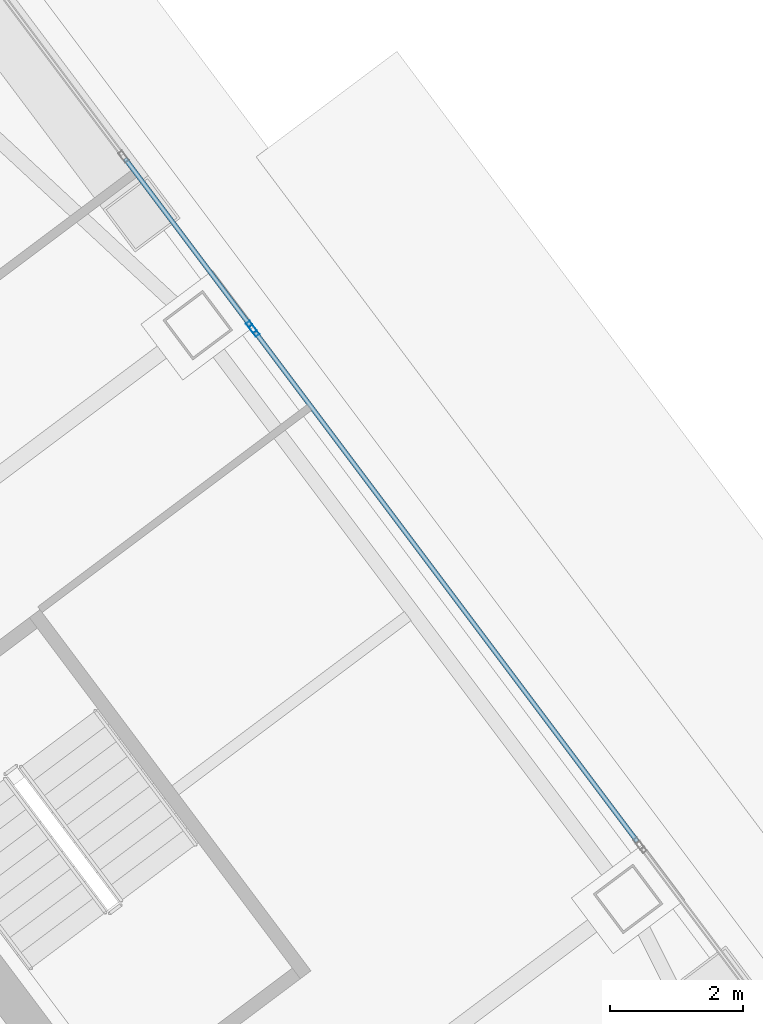
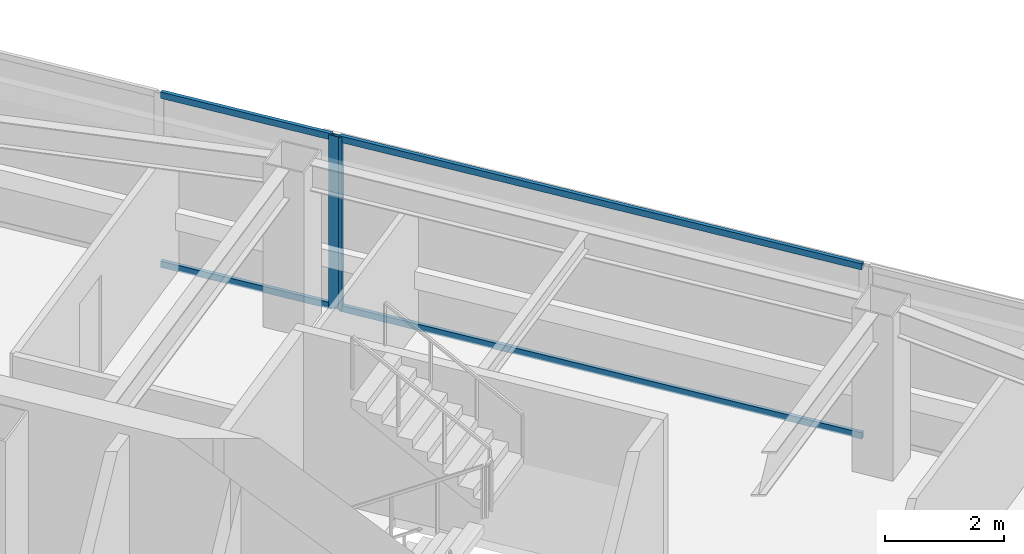
# One storey, part 49 of 65: 6 members, 2 elements without a shape of their own.
"""IFC4 building model written with IfcOpenShell, lengths in metres."""

from ifc_helpers import new_model, si_unit, direction, frame, origin, origin_2d, place, context, subcontext, project, spatial, hollow_rectangle, extrude, material, material_profile, profile_set, type_object, element, aggregate, save


model = new_model("IFC4")

# Units and contexts
model_context = context("Model", 3, precision=1e-05, world=origin(), true_north=direction((0.0, 1.0)))
body_context = subcontext(model_context, "Body", "Model", "MODEL_VIEW")
ifc_project = project(units=[si_unit("LENGTHUNIT", "METRE"), si_unit("AREAUNIT", "SQUARE_METRE"), si_unit("VOLUMEUNIT", "CUBIC_METRE"), si_unit("PLANEANGLEUNIT", "RADIAN"), si_unit("MASSUNIT", "GRAM", prefix="KILO")], contexts=[model_context])

# Site, building, storey
site_placement = place(None, origin())
site = spatial("IfcSite", under=ifc_project, at=site_placement, CompositionType="ELEMENT")
building_placement = place(site_placement, origin())
building = spatial("IfcBuilding", under=site, at=building_placement, Name="Tashvorn Skyway Center", CompositionType="ELEMENT")
storey_placement = place(building_placement, frame((0.0, 0.0, 157.0)))
storey = spatial("IfcBuildingStorey", under=building, at=storey_placement, Name="L42", CompositionType="ELEMENT", Elevation=157.0)

# Curtain wall, member
ifc_material = material(Name="Thermally broken bronze-anodized aluminium 6063-T6", Category="aluminium")
curtain_wall_type = type_object("IfcCurtainWallType", Name="CW-CW-Z4", PredefinedType="NOTDEFINED", material=ifc_material)
curtain_wall_1_placement = place(storey_placement, origin())
curtain_wall_1 = element("IfcCurtainWall", 1, at=curtain_wall_1_placement, inside=storey, type_object=curtain_wall_type, Name="Tower 2 L42 East Unitised Curtain Wall Glazing Group 1", PredefinedType="NOTDEFINED")
ifc_material_profile_1 = material_profile(ifc_material, hollow_rectangle(XDim=0.070068359375, YDim=0.179931640625, WallThickness=0.00390625, at=origin_2d()), Name="ALU-MULL-70x180")
ifc_profile_set_1 = profile_set([ifc_material_profile_1], Name="Thermally broken bronze-anodized aluminium 6063-T6")
member_type_1 = type_object("IfcMemberType", Name="CWM-CW-Z4", PredefinedType="MULLION", material=ifc_profile_set_1)
member_1_placement = place(storey_placement, frame((124.487060546875, 45.98388671875, 0.0), z_axis=(0.0, 0.0, 1.0), x_axis=(0.799999999998, 0.600000000002, 0.0)))
member_1 = element("IfcMember", 2, at=member_1_placement, type_object=member_type_1, Name="CW-Z4 mullion 3", PredefinedType="MULLION", context=body_context, shape_type="SweptSolid", body=[
    extrude(hollow_rectangle(XDim=0.070068359375, YDim=0.179931640625, WallThickness=0.00390625, at=origin_2d()), origin(), (0.0, 0.0, 1.0), 3.550048828125),
])

curtain_wall_2_placement = place(storey_placement, origin())
curtain_wall_2 = element("IfcCurtainWall", 3, at=curtain_wall_2_placement, inside=storey, type_object=curtain_wall_type, Name="Tower 2 L42 East Unitised Curtain Wall Glazing Group 2", PredefinedType="NOTDEFINED")
member_2_placement = place(storey_placement, frame((124.529052734375, 45.927978515625, 0.0), z_axis=(0.0, 0.0, 1.0), x_axis=(0.799999999998, 0.600000000002, 0.0)))
member_2 = element("IfcMember", 4, at=member_2_placement, type_object=member_type_1, Name="CW-Z4 mullion 1", PredefinedType="MULLION", context=body_context, shape_type="SweptSolid", body=[
    extrude(hollow_rectangle(XDim=0.070068359375, YDim=0.179931640625, WallThickness=0.00390625, at=origin_2d()), origin(), (0.0, 0.0, 1.0), 3.550048828125),
])

# Member
ifc_material_profile_2 = material_profile(ifc_material, hollow_rectangle(XDim=0.070068359375, YDim=0.1298828125, WallThickness=0.00390625, at=origin_2d()), Name="ALU-TRAN-70x130")
ifc_profile_set_2 = profile_set([ifc_material_profile_2], Name="Thermally broken bronze-anodized aluminium 6063-T6")
member_type_2 = type_object("IfcMemberType", Name="CWT-CW-Z4", PredefinedType="USERDEFINED", material=ifc_profile_set_2)
member_3_placement = place(storey_placement, frame((122.5849609375, 48.52001953125, 0.034912109375), z_axis=(0.600012459628, -0.799990655127, 0.0), x_axis=(0.799990655127, 0.600012459628, 0.0)))
member_3 = element("IfcMember", 5, at=member_3_placement, type_object=member_type_2, Name="CW-Z4 transom 2.1", ObjectType="TRANSOM", PredefinedType="USERDEFINED", context=body_context, shape_type="SweptSolid", body=[
    extrude(hollow_rectangle(XDim=0.070068359375, YDim=0.1298828125, WallThickness=0.00390625, at=origin_2d()), origin(), (0.0, 0.0, 1.0), 3.135009765625),
])

member_4_placement = place(storey_placement, frame((122.5849609375, 48.52001953125, 3.514892578125), z_axis=(0.600012459628, -0.799990655127, 0.0), x_axis=(0.799990655127, 0.600012459628, 0.0)))
member_4 = element("IfcMember", 6, at=member_4_placement, type_object=member_type_2, Name="CW-Z4 transom 2.2", ObjectType="TRANSOM", PredefinedType="USERDEFINED", context=body_context, shape_type="SweptSolid", body=[
    extrude(hollow_rectangle(XDim=0.070068359375, YDim=0.1298828125, WallThickness=0.00390625, at=origin_2d()), origin(), (0.0, 0.0, 1.0), 3.135009765625),
])

aggregate(curtain_wall_1, [member_1, member_3, member_4])

member_5_placement = place(storey_placement, frame((124.550048828125, 45.89990234375, 0.034912109375), z_axis=(0.600012232595, -0.799990825408, 0.0), x_axis=(0.799990825408, 0.600012232595, 0.0)))
member_5 = element("IfcMember", 7, at=member_5_placement, type_object=member_type_2, Name="CW-Z4 transom 1.1", ObjectType="TRANSOM", PredefinedType="USERDEFINED", context=body_context, shape_type="SweptSolid", body=[
    extrude(hollow_rectangle(XDim=0.070068359375, YDim=0.1298828125, WallThickness=0.00390625, at=origin_2d()), origin(), (0.0, 0.0, 1.0), 9.579833984375),
])

member_6_placement = place(storey_placement, frame((124.550048828125, 45.89990234375, 3.514892578125), z_axis=(0.600012232595, -0.799990825408, 0.0), x_axis=(0.799990825408, 0.600012232595, 0.0)))
member_6 = element("IfcMember", 8, at=member_6_placement, type_object=member_type_2, Name="CW-Z4 transom 1.2", ObjectType="TRANSOM", PredefinedType="USERDEFINED", context=body_context, shape_type="SweptSolid", body=[
    extrude(hollow_rectangle(XDim=0.070068359375, YDim=0.1298828125, WallThickness=0.00390625, at=origin_2d()), origin(), (0.0, 0.0, 1.0), 9.579833984375),
])

aggregate(curtain_wall_2, [member_2, member_5, member_6])

save(model, "model.ifc")
